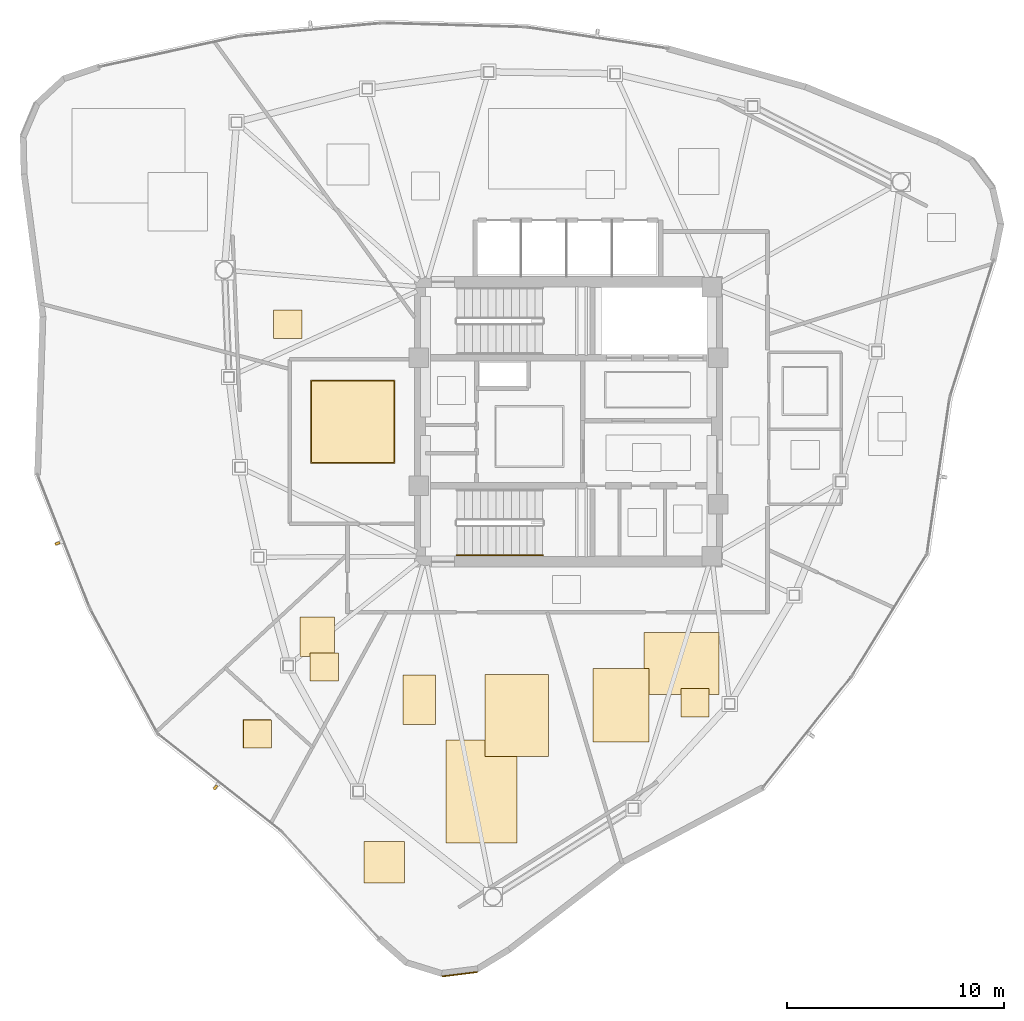
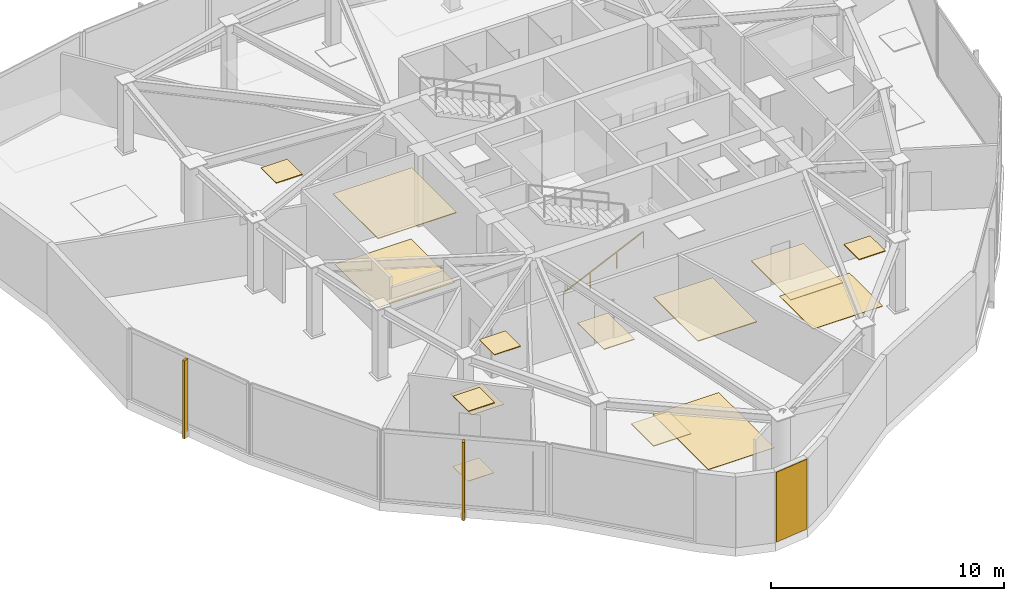
# One storey, part 12 of 14: 15 coverings, 2 shading devices, 1 railing.
"""IFC4 building model written with IfcOpenShell, lengths in metres."""

from ifc_helpers import new_model, si_unit, direction, frame, origin, origin_2d, place, context, subcontext, project, spatial, polyline, rectangle, outline, extrude, source, transform, mapped, material, layer, layer_set, type_object, type_shapes, element, save


model = new_model("IFC4")

# Units and contexts
model_context = context("Model", 3, precision=1e-05, world=origin(), true_north=direction((0.0, 1.0)))
body_context = subcontext(model_context, "Body", "Model", "MODEL_VIEW")
ifc_project = project(units=[si_unit("LENGTHUNIT", "METRE"), si_unit("AREAUNIT", "SQUARE_METRE"), si_unit("VOLUMEUNIT", "CUBIC_METRE"), si_unit("PLANEANGLEUNIT", "RADIAN"), si_unit("MASSUNIT", "GRAM", prefix="KILO")], contexts=[model_context])

# Site, building, storey
site_placement = place(None, origin())
site = spatial("IfcSite", under=ifc_project, at=site_placement, CompositionType="ELEMENT")
building_placement = place(site_placement, origin())
building = spatial("IfcBuilding", under=site, at=building_placement, Name="Tavelor Broadcast Tower", CompositionType="ELEMENT")
storey_placement = place(building_placement, frame((0.0, 0.0, 273.5)))
storey = spatial("IfcBuildingStorey", under=building, at=storey_placement, Name="L65", CompositionType="ELEMENT", Elevation=273.5)

# Covering
ifc_material_1 = material(Name="Copper-Bronze Anodized Aluminium", Category="aluminium")
ifc_layer_1 = layer(ifc_material_1, 0.050048828125)
ifc_layer_set_1 = layer_set([ifc_layer_1], Name="Copper-Bronze Anodized Aluminium")
covering_type_1 = type_object("IfcCoveringType", Name="Champagne-Bronze Corner Pier Metal Cladding 50 mm", PredefinedType="CLADDING", material=ifc_layer_set_1)
covering_1_placement = place(storey_placement, frame((44.981689453125, 19.52685546875, 0.02001953125), z_axis=(0.0, 0.0, 1.0), x_axis=(0.992439422656, 0.122735456807, 0.0)))
element("IfcCovering", 1, at=covering_1_placement, inside=storey, type_object=covering_type_1, Name="L65 Champagne-Bronze Corner Cladding 13", PredefinedType="CLADDING", context=body_context, shape_type="SweptSolid", body=[
    extrude(rectangle(XDim=1.642578125, YDim=0.050048828125, at=origin_2d()), origin(), (0.0, 0.0, 1.0), 3.659912109375),
])

# Railing
ifc_material_2 = material(Name="Steel S355", Category="steel")
railing_type = type_object("IfcRailingType", Name="Continuous Brushed Stainless Handrail 900 mm", PredefinedType="HANDRAIL", material=ifc_material_2)
railing_placement = place(storey_placement, frame((44.85009765625, 38.85009765625, 0.166748046875)))
element("IfcRailing", 2, at=railing_placement, inside=storey, type_object=railing_type, Name="L65 ST2 stair handrail 1", PredefinedType="HANDRAIL", context=body_context, shape_type="SweptSolid", body=[
    extrude(rectangle(XDim=0.048095703125, YDim=0.048095703125, at=origin_2d()), frame((0.0, 0.0, 0.8759765625), z_axis=(0.907472437036, 0.0, 0.420111623286), x_axis=(0.0, 1.0, 0.0)), (0.0, 0.0, 1.0), 4.36376953125),
    extrude(rectangle(XDim=0.0419921875, YDim=0.0419921875, at=origin_2d()), origin(), (0.0, 0.0, 1.0), 0.851806640625),
    extrude(rectangle(XDim=0.0419921875, YDim=0.0419921875, at=origin_2d()), frame((1.320068359375, 0.0, 0.611083984375)), (0.0, 0.0, 1.0), 0.851806640625),
    extrude(rectangle(XDim=0.0419921875, YDim=0.0419921875, at=origin_2d()), frame((2.639892578125, 0.0, 1.22216796875)), (0.0, 0.0, 1.0), 0.851806640625),
    extrude(rectangle(XDim=0.0419921875, YDim=0.0419921875, at=origin_2d()), frame((3.9599609375, 0.0, 1.833251953125)), (0.0, 0.0, 1.0), 0.851806640625),
])

# Coverings
ifc_material_3 = material(Name="Acoustic Nylon Carpet Tile")
ifc_layer_2 = layer(ifc_material_3, 0.02001953125)
ifc_layer_set_2 = layer_set([ifc_layer_2], Name="Acoustic Nylon Carpet Tile")
covering_type_2 = type_object("IfcCoveringType", Name="Heavy-Duty Acoustic Broadcast Carpet Tile 20 mm", PredefinedType="FLOORING", material=ifc_layer_set_2)
covering_2_placement = place(storey_placement, origin())
element("IfcCovering", 3, at=covering_2_placement, inside=storey, type_object=covering_type_2, Name="L65 Broadcast Floor Finish 0971", PredefinedType="FLOORING", context=body_context, shape_type="SweptSolid", body=[
    extrude(outline(polyline([(38.15771484375, 43.12890625), (41.942138671875, 43.12890625), (41.942138671875, 46.87060546875), (38.15771484375, 46.87060546875), (38.15771484375, 43.12890625)])), origin(), (0.0, 0.0, 1.0), 0.02001953125),
])
covering_3_placement = place(storey_placement, origin())
element("IfcCovering", 4, at=covering_3_placement, inside=storey, type_object=covering_type_2, Name="L65 Broadcast Floor Finish 0975", PredefinedType="FLOORING", context=body_context, shape_type="SweptSolid", body=[
    extrude(outline(polyline([(53.481689453125, 32.42138671875), (56.940673828125, 32.42138671875), (56.940673828125, 35.277587890625), (53.481689453125, 35.277587890625), (53.481689453125, 32.42138671875)])), origin(), (0.0, 0.0, 1.0), 0.02001953125),
])
covering_4_placement = place(storey_placement, origin())
element("IfcCovering", 5, at=covering_4_placement, inside=storey, type_object=covering_type_2, Name="L65 Broadcast Floor Finish 0976", PredefinedType="FLOORING", context=body_context, shape_type="SweptSolid", body=[
    extrude(outline(polyline([(44.35498046875, 25.57177734375), (47.626220703125, 25.57177734375), (47.626220703125, 30.33544921875), (44.35498046875, 30.33544921875), (44.35498046875, 25.57177734375)])), origin(), (0.0, 0.0, 1.0), 0.02001953125),
])
covering_5_placement = place(storey_placement, origin())
element("IfcCovering", 6, at=covering_5_placement, inside=storey, type_object=covering_type_2, Name="L65 Broadcast Floor Finish 0977", PredefinedType="FLOORING", context=body_context, shape_type="SweptSolid", body=[
    extrude(outline(polyline([(34.98095703125, 29.96240234375), (36.281005859375, 29.96240234375), (36.281005859375, 31.26220703125), (34.98095703125, 31.26220703125), (34.98095703125, 29.96240234375)])), origin(), (0.0, 0.0, 1.0), 0.02001953125),
])
covering_6_placement = place(storey_placement, origin())
element("IfcCovering", 7, at=covering_6_placement, inside=storey, type_object=covering_type_2, Name="L65 Broadcast Floor Finish 0980", PredefinedType="FLOORING", context=body_context, shape_type="SweptSolid", body=[
    extrude(outline(polyline([(37.60546875, 34.17724609375), (39.19873046875, 34.17724609375), (39.19873046875, 36.00732421875), (37.60546875, 36.00732421875), (37.60546875, 34.17724609375)])), origin(), (0.0, 0.0, 1.0), 0.02001953125),
])
ifc_material_4 = material(Name="Acoustic Mineral Fibre Tile")
ifc_layer_3 = layer(ifc_material_4, 0.0400390625)
ifc_layer_set_3 = layer_set([ifc_layer_3], Name="Acoustic Mineral Fibre Tile")
covering_type_3 = type_object("IfcCoveringType", Name="Suspended Acoustic Mineral-Fibre Office Ceiling 40 mm", PredefinedType="CEILING", material=ifc_layer_set_3)
covering_7_placement = place(storey_placement, frame((0.0, 0.0, 3.659912109375)))
element("IfcCovering", 8, at=covering_7_placement, inside=storey, type_object=covering_type_3, Name="L65 Suspended Acoustic Ceiling 2520", PredefinedType="CEILING", context=body_context, shape_type="SweptSolid", body=[
    extrude(outline(polyline([(38.10009765625, 43.0712890625), (41.999755859375, 43.0712890625), (41.999755859375, 46.927978515625), (38.10009765625, 46.927978515625), (38.10009765625, 43.0712890625)])), origin(), (0.0, 0.0, 1.0), 0.0400390625),
])
covering_8_placement = place(storey_placement, frame((0.0, 0.0, 3.659912109375)))
element("IfcCovering", 9, at=covering_8_placement, inside=storey, type_object=covering_type_3, Name="L65 Suspended Acoustic Ceiling 2524", PredefinedType="CEILING", context=body_context, shape_type="SweptSolid", body=[
    extrude(outline(polyline([(55.1748046875, 31.390869140625), (56.474853515625, 31.390869140625), (56.474853515625, 32.69091796875), (55.1748046875, 32.69091796875), (55.1748046875, 31.390869140625)])), origin(), (0.0, 0.0, 1.0), 0.0400390625),
])
covering_9_placement = place(storey_placement, frame((0.0, 0.0, 3.659912109375)))
element("IfcCovering", 10, at=covering_9_placement, inside=storey, type_object=covering_type_3, Name="L65 Suspended Acoustic Ceiling 2525", PredefinedType="CEILING", context=body_context, shape_type="SweptSolid", body=[
    extrude(outline(polyline([(51.127685546875, 30.241943359375), (53.7177734375, 30.241943359375), (53.7177734375, 33.632080078125), (51.127685546875, 33.632080078125), (51.127685546875, 30.241943359375)])), origin(), (0.0, 0.0, 1.0), 0.0400390625),
])
covering_10_placement = place(storey_placement, frame((0.0, 0.0, 3.659912109375)))
element("IfcCovering", 11, at=covering_10_placement, inside=storey, type_object=covering_type_3, Name="L65 Suspended Acoustic Ceiling 2526", PredefinedType="CEILING", context=body_context, shape_type="SweptSolid", body=[
    extrude(outline(polyline([(40.57568359375, 23.721923828125), (42.444091796875, 23.721923828125), (42.444091796875, 25.6533203125), (40.57568359375, 25.6533203125), (40.57568359375, 23.721923828125)])), origin(), (0.0, 0.0, 1.0), 0.0400390625),
])
covering_11_placement = place(storey_placement, frame((0.0, 0.0, 3.659912109375)))
element("IfcCovering", 12, at=covering_11_placement, inside=storey, type_object=covering_type_3, Name="L65 Suspended Acoustic Ceiling 2527", PredefinedType="CEILING", context=body_context, shape_type="SweptSolid", body=[
    extrude(outline(polyline([(42.354736328125, 31.0498046875), (43.8671875, 31.0498046875), (43.8671875, 33.322021484375), (42.354736328125, 33.322021484375), (42.354736328125, 31.0498046875)])), origin(), (0.0, 0.0, 1.0), 0.0400390625),
])
covering_12_placement = place(storey_placement, frame((0.0, 0.0, 3.659912109375)))
element("IfcCovering", 13, at=covering_12_placement, inside=storey, type_object=covering_type_3, Name="L65 Suspended Acoustic Ceiling 2528", PredefinedType="CEILING", context=body_context, shape_type="SweptSolid", body=[
    extrude(outline(polyline([(46.142333984375, 29.563720703125), (49.06640625, 29.563720703125), (49.06640625, 33.35498046875), (46.142333984375, 33.35498046875), (46.142333984375, 29.563720703125)])), origin(), (0.0, 0.0, 1.0), 0.0400390625),
])
covering_13_placement = place(storey_placement, frame((0.0, 0.0, 3.659912109375)))
element("IfcCovering", 14, at=covering_13_placement, inside=storey, type_object=covering_type_3, Name="L65 Suspended Acoustic Ceiling 2529", PredefinedType="CEILING", context=body_context, shape_type="SweptSolid", body=[
    extrude(outline(polyline([(35.003173828125, 29.948486328125), (36.302978515625, 29.948486328125), (36.302978515625, 31.24853515625), (35.003173828125, 31.24853515625), (35.003173828125, 29.948486328125)])), origin(), (0.0, 0.0, 1.0), 0.0400390625),
])
covering_14_placement = place(storey_placement, frame((0.0, 0.0, 3.659912109375)))
element("IfcCovering", 15, at=covering_14_placement, inside=storey, type_object=covering_type_3, Name="L65 Suspended Acoustic Ceiling 2531", PredefinedType="CEILING", context=body_context, shape_type="SweptSolid", body=[
    extrude(outline(polyline([(36.40185546875, 48.84423828125), (37.701904296875, 48.84423828125), (37.701904296875, 50.144287109375), (36.40185546875, 50.144287109375), (36.40185546875, 48.84423828125)])), origin(), (0.0, 0.0, 1.0), 0.0400390625),
])
covering_15_placement = place(storey_placement, frame((0.0, 0.0, 3.659912109375)))
element("IfcCovering", 16, at=covering_15_placement, inside=storey, type_object=covering_type_3, Name="L65 Suspended Acoustic Ceiling 2537", PredefinedType="CEILING", context=body_context, shape_type="SweptSolid", body=[
    extrude(outline(polyline([(38.084228515625, 33.04833984375), (39.38427734375, 33.04833984375), (39.38427734375, 34.348388671875), (38.084228515625, 34.348388671875), (38.084228515625, 33.04833984375)])), origin(), (0.0, 0.0, 1.0), 0.0400390625),
])

# Shading devices
ifc_material_5 = material(Name="Kiln-Fired Glazed Terracotta", Category="masonry")
shading_device_type = type_object("IfcShadingDeviceType", Name="Extruded Terracotta Baguette Sun-Screen 110x240", PredefinedType="JALOUSIE", material=ifc_material_5)
shared_shape = source(origin(), body_context, "Body", "SweptSolid", [
    extrude(rectangle(XDim=0.110107421875, YDim=0.239990234375, at=origin_2d()), origin(), (0.0, 0.0, 1.0), 4.090087890625),
])
type_shapes(shading_device_type, [shared_shape])
for number, where, z_axis, x_axis, name in (
    (17, (26.43408203125, 39.392333984375, -0.41015625), (0.0, 0.0, 1.0), (0.365364233984, -0.930864639207, 0.0), "L65 Terracotta Baguette Fin 661"),
    (18, (33.7177734375, 28.13818359375, -0.41015625), (0.0, 0.0, 1.0), (0.785208866642, -0.619231003541, 0.0), "L65 Terracotta Baguette Fin 662"),
):
    element("IfcShadingDevice", number, at=place(storey_placement, frame(where, z_axis=z_axis, x_axis=x_axis)), inside=storey, type_object=shading_device_type, Name=name, PredefinedType="JALOUSIE", context=body_context, shape_type="MappedRepresentation", body=[
        mapped(shared_shape, transform((0.0, 0.0, 0.0), scale=1.0)),
    ])

save(model, "model.ifc")
